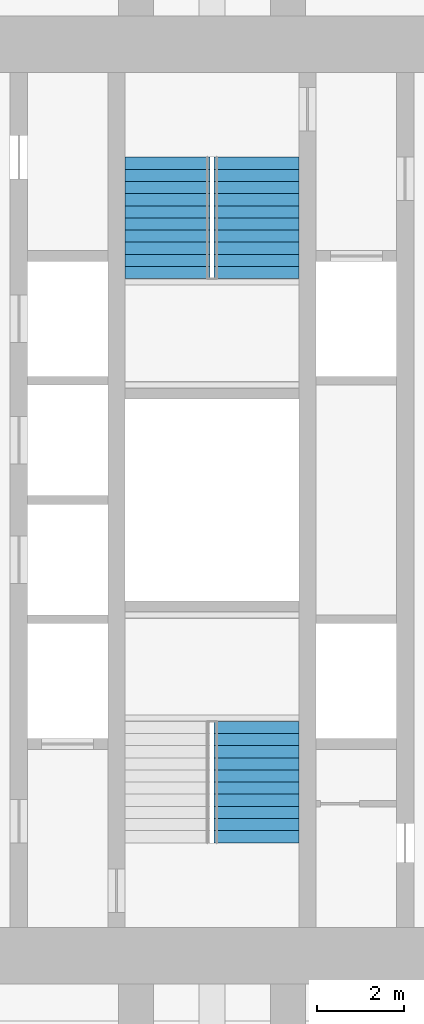
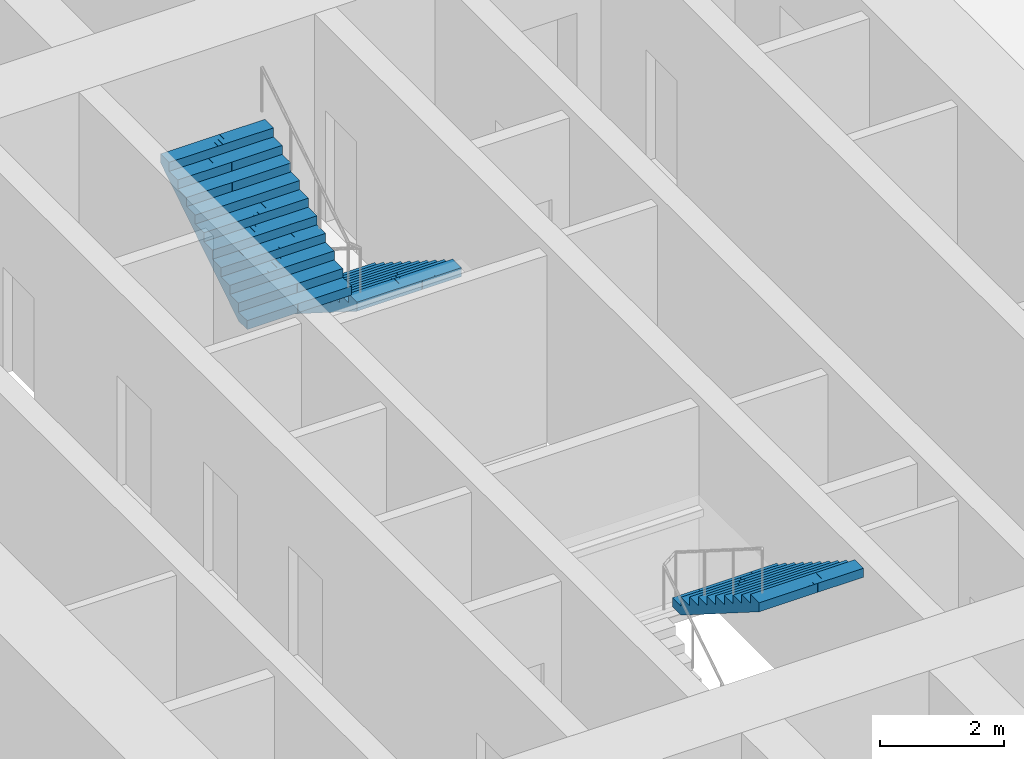
# One storey, part 18 of 19: 3 stair flights, 2 elements without a shape of their own.
"""IFC4 building model written with IfcOpenShell, lengths in metres."""

import ifcopenshell
import ifcopenshell.guid

model = None  # the IFC model being written
_history = None  # IfcOwnerHistory: only IFC2X3 demands one
_inside = {}  # id of a spatial element -> (the spatial element, [elements in it])
_under = {}  # id of a project, library or spatial element -> (it, [spatial elements below it])
_declared = {}  # id of a project -> (the project, [libraries it declares])
_typed = {}  # id of a type object -> (the type object, [elements of that type])
_made_of = {}  # id of a material, layer set ... -> (it, [elements and type objects made of it])


def new_model(schema):
    """Start an empty IFC model of exactly this schema.

    Asked for "IFC4X3", IfcOpenShell would pick the latest addendum, in which some entities
    have other attributes; the version numbers below select the first issue.
    IFC2X3 requires an IfcOwnerHistory on every rooted entity: one is made here for all.
    """
    global model, _history
    if schema == "IFC4X3":
        model = ifcopenshell.file(schema_version=(4, 3, 0, 0))
    else:
        model = ifcopenshell.file(schema=schema)
    _inside.clear()
    _under.clear()
    _declared.clear()
    _typed.clear()
    _made_of.clear()
    _history = None
    if model.schema == "IFC2X3":
        org = make("IfcOrganization", Name="unknown")
        user = make(
            "IfcPersonAndOrganization",
            ThePerson=make("IfcPerson", FamilyName="unknown"),
            TheOrganization=org,
        )
        app = make(
            "IfcApplication",
            ApplicationDeveloper=org,
            Version="unknown",
            ApplicationFullName="unknown",
            ApplicationIdentifier="unknown",
        )
        _history = make(
            "IfcOwnerHistory",
            OwningUser=user,
            OwningApplication=app,
            ChangeAction="ADDED",
            CreationDate=0,
        )
    return model


def make(cls, **values):
    """One entity of the class cls with the attributes given. An attribute that is None is left unset."""
    return model.create_entity(
        cls, **{name: value for name, value in values.items() if value is not None}
    )


def rooted(cls, **values):
    """An entity with a GlobalId (a new one), such as an element, a storey or a relation."""
    return make(cls, GlobalId=ifcopenshell.guid.new(), OwnerHistory=_history, **values)


def si_unit(unit_type, name, prefix=None):
    """IfcSIUnit, for example si_unit("LENGTHUNIT", "METRE", prefix="MILLI")."""
    return make("IfcSIUnit", UnitType=unit_type, Prefix=prefix, Name=name)


def assignment(units):
    """IfcUnitAssignment: the units of a project."""
    return None if units is None else make("IfcUnitAssignment", Units=units)


def point(xyz):
    """IfcCartesianPoint."""
    return None if xyz is None else make("IfcCartesianPoint", Coordinates=xyz)


def direction(xyz):
    """IfcDirection."""
    return None if xyz is None else make("IfcDirection", DirectionRatios=xyz)


def frame(location, z_axis=None, x_axis=None):
    """IfcAxis2Placement3D, a coordinate frame: its origin and axes. An axis left out is left unset."""
    return make(
        "IfcAxis2Placement3D",
        Location=point(location),
        Axis=direction(z_axis),
        RefDirection=direction(x_axis),
    )


def origin():
    """The frame at (0, 0, 0) with its axes left unset."""
    return frame((0.0, 0.0, 0.0))


def place(relative_to, where):
    """IfcLocalPlacement: puts the frame where relative to a parent placement (None: the world)."""
    return make(
        "IfcLocalPlacement", PlacementRelTo=relative_to, RelativePlacement=where
    )


def context(
    kind, dimensions, precision=None, world=None, true_north=None, identifier=None
):
    """IfcGeometricRepresentationContext, for example the 3D "Model" context."""
    return make(
        "IfcGeometricRepresentationContext",
        ContextIdentifier=identifier,
        ContextType=kind,
        CoordinateSpaceDimension=dimensions,
        Precision=precision,
        WorldCoordinateSystem=world,
        TrueNorth=true_north,
    )


def subcontext(parent, identifier, kind, view, scale=None):
    """IfcGeometricRepresentationSubContext, for example "Body" below "Model"."""
    return make(
        "IfcGeometricRepresentationSubContext",
        ContextIdentifier=identifier,
        ContextType=kind,
        ParentContext=parent,
        TargetScale=scale,
        TargetView=view,
    )


def project(units=None, contexts=None):
    """IfcProject with its units and contexts."""
    return rooted(
        "IfcProject",
        Name="project",
        RepresentationContexts=contexts,
        UnitsInContext=assignment(units),
    )


def spatial(cls, under=None, at=None, **own):
    """A site, building, storey or space (cls), placed at a placement, below another one or the project."""
    s = rooted(cls, ObjectPlacement=at, **own)
    if under is not None:
        _under.setdefault(under.id(), (under, []))[1].append(s)
    return s


def polyline(points):
    """IfcPolyline through the points."""
    return make("IfcPolyline", Points=[point(p) for p in points])


def outline(outer, holes=None, kind="AREA"):
    """IfcArbitraryClosedProfileDef: a profile drawn as a closed curve; with holes, ...WithVoids."""
    if holes is None:
        return make("IfcArbitraryClosedProfileDef", ProfileType=kind, OuterCurve=outer)
    return make(
        "IfcArbitraryProfileDefWithVoids",
        ProfileType=kind,
        OuterCurve=outer,
        InnerCurves=holes,
    )


def extrude(swept, where, along, depth):
    """IfcExtrudedAreaSolid: the profile swept, set in the frame where, extruded along a direction by depth."""
    return make(
        "IfcExtrudedAreaSolid",
        SweptArea=swept,
        Position=where,
        ExtrudedDirection=direction(along),
        Depth=depth,
    )


def shape(context_of_items, identifier, shape_type, items):
    """IfcShapeRepresentation: the items that make up one representation, for example the "Body"."""
    return make(
        "IfcShapeRepresentation",
        ContextOfItems=context_of_items,
        RepresentationIdentifier=identifier,
        RepresentationType=shape_type,
        Items=items,
    )


def material(Name=None, Category=None):
    """IfcMaterial."""
    return make("IfcMaterial", Name=Name, Category=Category)


def made_of(thing, what):
    """Note that an element or type object is made of a material, layer set ...; save() writes the relation."""
    if what is not None:
        _made_of.setdefault(what.id(), (what, []))[1].append(thing)
    return thing


def type_object(cls, material=None, **own):
    """A type object (cls), such as IfcWallType, which elements share."""
    return made_of(rooted(cls, **own), material)


def element(
    cls,
    number,
    at=None,
    inside=None,
    cuts=None,
    type_object=None,
    material=None,
    context=None,
    identifier="Body",
    shape_type=None,
    held_by="IfcProductDefinitionShape",
    body=None,
    shapes=None,
    **own,
):
    """One element of the class cls, such as IfcWall. Its Tag is "e" and its number.

    at: its placement. inside: the storey or other place that contains it. cuts: it is an
    opening in that element (IfcRelVoidsElement). A single representation is given by context,
    identifier, shape_type and body (its items); several are given by shapes. held_by: the class
    of the entity that holds the representations. save() writes the other relations.
    """
    e = rooted(cls, Tag="e%d" % number, ObjectPlacement=at, **own)
    if body is not None:
        shapes = [shape(context, identifier, shape_type, body)]
    if shapes is not None:
        e.Representation = make(held_by, Representations=shapes)
    if inside is not None:
        _inside.setdefault(inside.id(), (inside, []))[1].append(e)
    if cuts is not None:
        rooted(
            "IfcRelVoidsElement", RelatingBuildingElement=cuts, RelatedOpeningElement=e
        )
    if type_object is not None:
        _typed.setdefault(type_object.id(), (type_object, []))[1].append(e)
    return made_of(e, material)


def aggregate(whole, parts):
    """IfcRelAggregates: a whole, such as a stair, and the parts it consists of."""
    return rooted("IfcRelAggregates", RelatingObject=whole, RelatedObjects=parts)


def save(model, path):
    """Write the relations noted so far, then the file.

    IfcRelAggregates (storeys below a building ...), IfcRelContainedInSpatialStructure (elements
    in a storey), IfcRelDefinesByType, IfcRelAssociatesMaterial and IfcRelDeclares: one each for
    every whole, place, type object, material and project.
    """
    for whole, parts in _under.values():
        aggregate(whole, parts)
    for where, things in _inside.values():
        rooted(
            "IfcRelContainedInSpatialStructure",
            RelatedElements=things,
            RelatingStructure=where,
        )
    for kind, things in _typed.values():
        rooted("IfcRelDefinesByType", RelatedObjects=things, RelatingType=kind)
    for what, things in _made_of.values():
        rooted("IfcRelAssociatesMaterial", RelatedObjects=things, RelatingMaterial=what)
    for by, libraries in _declared.values():
        rooted("IfcRelDeclares", RelatingContext=by, RelatedDefinitions=libraries)
    model.write(path)


model = new_model("IFC4")

# Units and contexts
model_context = context("Model", 3, precision=1e-05, world=origin(), true_north=direction((0.0, 1.0)))
body_context = subcontext(model_context, "Body", "Model", "MODEL_VIEW")
ifc_project = project(units=[si_unit("LENGTHUNIT", "METRE"), si_unit("AREAUNIT", "SQUARE_METRE"), si_unit("VOLUMEUNIT", "CUBIC_METRE"), si_unit("PLANEANGLEUNIT", "RADIAN"), si_unit("MASSUNIT", "GRAM", prefix="KILO")], contexts=[model_context])

# Site, building, storey
site_placement = place(None, origin())
site = spatial("IfcSite", under=ifc_project, at=site_placement, CompositionType="ELEMENT")
building_placement = place(site_placement, origin())
building = spatial("IfcBuilding", under=site, at=building_placement, Name="Mizan Broadcast Tower", CompositionType="ELEMENT")
storey_placement = place(building_placement, frame((0.0, 0.0, 132.0)))
storey = spatial("IfcBuildingStorey", under=building, at=storey_placement, Name="L29", CompositionType="ELEMENT", Elevation=132.0)

# Stair, stair flight
ifc_material_1 = material(Name="Concrete C40/50", Category="concrete")
stair_type = type_object("IfcStairType", Name="EXIT STAIR", PredefinedType="HALF_TURN_STAIR", material=ifc_material_1)
stair_1_placement = place(storey_placement, origin())
stair_1 = element("IfcStair", 1, at=stair_1_placement, inside=storey, type_object=stair_type, Name="Stair A L29", PredefinedType="HALF_TURN_STAIR")
ifc_material_2 = material(Name="Concrete C40/50", Category="concrete")
stair_flight_type = type_object("IfcStairFlightType", Name="EXIT STAIR FLIGHT", PredefinedType="STRAIGHT", material=ifc_material_2)
stair_flight_1_placement = place(storey_placement, frame((1.02490234375, -5.10009765625, 1.949951171875), z_axis=(0.0, 0.0, 1.0), x_axis=(0.0, -1.0, 0.0)))
stair_flight_1 = element("IfcStairFlight", 2, at=stair_flight_1_placement, type_object=stair_flight_type, Name="A flight 2", NumberOfRisers=11, NumberOfTreads=10, PredefinedType="STRAIGHT", RiserHeight=0.177272727, TreadLength=0.28, context=body_context, shape_type="SweptSolid", body=[
    extrude(outline(polyline([(0.0, 0.0), (0.0, 0.17724609375), (0.280029296875, 0.17724609375), (0.280029296875, 0.3544921875), (0.56005859375, 0.3544921875), (0.56005859375, 0.53173828125), (0.840087890625, 0.53173828125), (0.840087890625, 0.708984375), (1.1201171875, 0.708984375), (1.1201171875, 0.886474609375), (1.39990234375, 0.886474609375), (1.39990234375, 1.063720703125), (1.679931640625, 1.063720703125), (1.679931640625, 1.240966796875), (1.9599609375, 1.240966796875), (1.9599609375, 1.418212890625), (2.239990234375, 1.418212890625), (2.239990234375, 1.595458984375), (2.52001953125, 1.595458984375), (2.52001953125, 1.772705078125), (2.800048828125, 1.772705078125), (2.800048828125, 1.949951171875), (2.800048828125, 1.59521484375), (0.2802734375, 0.0), (0.0, 0.0)])), frame((0.0, 0.97509765625, 0.0), z_axis=(0.0, -1.0, 0.0), x_axis=(1.0, 0.0, 0.0)), (0.0, 0.0, 1.0), 0.4873046875),
    extrude(outline(polyline([(0.0, 0.0), (0.0, 0.17724609375), (0.280029296875, 0.17724609375), (0.280029296875, 0.3544921875), (0.56005859375, 0.3544921875), (0.56005859375, 0.53173828125), (0.840087890625, 0.53173828125), (0.840087890625, 0.708984375), (1.1201171875, 0.708984375), (1.1201171875, 0.886474609375), (1.39990234375, 0.886474609375), (1.39990234375, 1.063720703125), (1.679931640625, 1.063720703125), (1.679931640625, 1.240966796875), (1.9599609375, 1.240966796875), (1.9599609375, 1.418212890625), (2.239990234375, 1.418212890625), (2.239990234375, 1.595458984375), (2.52001953125, 1.595458984375), (2.52001953125, 1.772705078125), (2.800048828125, 1.772705078125), (2.800048828125, 1.949951171875), (2.800048828125, 1.59521484375), (0.2802734375, 0.0), (0.0, 0.0)])), frame((0.0, 0.4873046875, 0.0), z_axis=(0.0, -1.0, 0.0), x_axis=(1.0, 0.0, 0.0)), (0.0, 0.0, 1.0), 0.2431640625),
    extrude(outline(polyline([(0.0, 0.0), (0.0, 0.17724609375), (0.280029296875, 0.17724609375), (0.280029296875, 0.3544921875), (0.56005859375, 0.3544921875), (0.56005859375, 0.53173828125), (0.840087890625, 0.53173828125), (0.840087890625, 0.708984375), (1.1201171875, 0.708984375), (1.1201171875, 0.886474609375), (1.39990234375, 0.886474609375), (1.39990234375, 1.063720703125), (1.679931640625, 1.063720703125), (1.679931640625, 1.240966796875), (1.9599609375, 1.240966796875), (1.9599609375, 1.418212890625), (2.239990234375, 1.418212890625), (2.239990234375, 1.595458984375), (2.52001953125, 1.595458984375), (2.52001953125, 1.772705078125), (2.800048828125, 1.772705078125), (2.800048828125, 1.949951171875), (2.800048828125, 1.59521484375), (0.2802734375, 0.0), (0.0, 0.0)])), frame((0.0, 0.24365234375, 0.0), z_axis=(0.0, -1.0, 0.0), x_axis=(1.0, 0.0, 0.0)), (0.0, 0.0, 1.0), 0.121337890625),
    extrude(outline(polyline([(0.0, 0.0), (0.0, 0.17724609375), (0.280029296875, 0.17724609375), (0.280029296875, 0.3544921875), (0.56005859375, 0.3544921875), (0.56005859375, 0.53173828125), (0.840087890625, 0.53173828125), (0.840087890625, 0.708984375), (1.1201171875, 0.708984375), (1.1201171875, 0.886474609375), (1.39990234375, 0.886474609375), (1.39990234375, 1.063720703125), (1.679931640625, 1.063720703125), (1.679931640625, 1.240966796875), (1.9599609375, 1.240966796875), (1.9599609375, 1.418212890625), (2.239990234375, 1.418212890625), (2.239990234375, 1.595458984375), (2.52001953125, 1.595458984375), (2.52001953125, 1.772705078125), (2.800048828125, 1.772705078125), (2.800048828125, 1.949951171875), (2.800048828125, 1.59521484375), (0.2802734375, 0.0), (0.0, 0.0)])), frame((0.0, 0.121826171875, 0.0), z_axis=(0.0, -1.0, 0.0), x_axis=(1.0, 0.0, 0.0)), (0.0, 0.0, 1.0), 0.060546875),
    extrude(outline(polyline([(0.0, 0.0), (0.0, 0.17724609375), (0.280029296875, 0.17724609375), (0.280029296875, 0.3544921875), (0.56005859375, 0.3544921875), (0.56005859375, 0.53173828125), (0.840087890625, 0.53173828125), (0.840087890625, 0.708984375), (1.1201171875, 0.708984375), (1.1201171875, 0.886474609375), (1.39990234375, 0.886474609375), (1.39990234375, 1.063720703125), (1.679931640625, 1.063720703125), (1.679931640625, 1.240966796875), (1.9599609375, 1.240966796875), (1.9599609375, 1.418212890625), (2.239990234375, 1.418212890625), (2.239990234375, 1.595458984375), (2.52001953125, 1.595458984375), (2.52001953125, 1.772705078125), (2.800048828125, 1.772705078125), (2.800048828125, 1.949951171875), (2.800048828125, 1.59521484375), (0.2802734375, 0.0), (0.0, 0.0)])), frame((0.0, 0.060791015625, 0.0), z_axis=(0.0, -1.0, 0.0), x_axis=(1.0, 0.0, 0.0)), (0.0, 0.0, 1.0), 0.030029296875),
    extrude(outline(polyline([(0.0, 0.0), (0.0, 0.17724609375), (0.280029296875, 0.17724609375), (0.280029296875, 0.3544921875), (0.56005859375, 0.3544921875), (0.56005859375, 0.53173828125), (0.840087890625, 0.53173828125), (0.840087890625, 0.708984375), (1.1201171875, 0.708984375), (1.1201171875, 0.886474609375), (1.39990234375, 0.886474609375), (1.39990234375, 1.063720703125), (1.679931640625, 1.063720703125), (1.679931640625, 1.240966796875), (1.9599609375, 1.240966796875), (1.9599609375, 1.418212890625), (2.239990234375, 1.418212890625), (2.239990234375, 1.595458984375), (2.52001953125, 1.595458984375), (2.52001953125, 1.772705078125), (2.800048828125, 1.772705078125), (2.800048828125, 1.949951171875), (2.800048828125, 1.59521484375), (0.2802734375, 0.0), (0.0, 0.0)])), frame((0.0, 0.0302734375, 0.0), z_axis=(0.0, -1.0, 0.0), x_axis=(1.0, 0.0, 0.0)), (0.0, 0.0, 1.0), 0.060302734375),
    extrude(outline(polyline([(0.0, 0.0), (0.0, 0.17724609375), (0.280029296875, 0.17724609375), (0.280029296875, 0.3544921875), (0.56005859375, 0.3544921875), (0.56005859375, 0.53173828125), (0.840087890625, 0.53173828125), (0.840087890625, 0.708984375), (1.1201171875, 0.708984375), (1.1201171875, 0.886474609375), (1.39990234375, 0.886474609375), (1.39990234375, 1.063720703125), (1.679931640625, 1.063720703125), (1.679931640625, 1.240966796875), (1.9599609375, 1.240966796875), (1.9599609375, 1.418212890625), (2.239990234375, 1.418212890625), (2.239990234375, 1.595458984375), (2.52001953125, 1.595458984375), (2.52001953125, 1.772705078125), (2.800048828125, 1.772705078125), (2.800048828125, 1.949951171875), (2.800048828125, 1.59521484375), (0.2802734375, 0.0), (0.0, 0.0)])), frame((0.0, -0.030517578125, 0.0), z_axis=(0.0, -1.0, 0.0), x_axis=(1.0, 0.0, 0.0)), (0.0, 0.0, 1.0), 0.030029296875),
    extrude(outline(polyline([(0.0, 0.0), (0.0, 0.17724609375), (0.280029296875, 0.17724609375), (0.280029296875, 0.3544921875), (0.56005859375, 0.3544921875), (0.56005859375, 0.53173828125), (0.840087890625, 0.53173828125), (0.840087890625, 0.708984375), (1.1201171875, 0.708984375), (1.1201171875, 0.886474609375), (1.39990234375, 0.886474609375), (1.39990234375, 1.063720703125), (1.679931640625, 1.063720703125), (1.679931640625, 1.240966796875), (1.9599609375, 1.240966796875), (1.9599609375, 1.418212890625), (2.239990234375, 1.418212890625), (2.239990234375, 1.595458984375), (2.52001953125, 1.595458984375), (2.52001953125, 1.772705078125), (2.800048828125, 1.772705078125), (2.800048828125, 1.949951171875), (2.800048828125, 1.59521484375), (0.2802734375, 0.0), (0.0, 0.0)])), frame((0.0, -0.06103515625, 0.0), z_axis=(0.0, -1.0, 0.0), x_axis=(1.0, 0.0, 0.0)), (0.0, 0.0, 1.0), 0.060546875),
    extrude(outline(polyline([(0.0, 0.0), (0.0, 0.17724609375), (0.280029296875, 0.17724609375), (0.280029296875, 0.3544921875), (0.56005859375, 0.3544921875), (0.56005859375, 0.53173828125), (0.840087890625, 0.53173828125), (0.840087890625, 0.708984375), (1.1201171875, 0.708984375), (1.1201171875, 0.886474609375), (1.39990234375, 0.886474609375), (1.39990234375, 1.063720703125), (1.679931640625, 1.063720703125), (1.679931640625, 1.240966796875), (1.9599609375, 1.240966796875), (1.9599609375, 1.418212890625), (2.239990234375, 1.418212890625), (2.239990234375, 1.595458984375), (2.52001953125, 1.595458984375), (2.52001953125, 1.772705078125), (2.800048828125, 1.772705078125), (2.800048828125, 1.949951171875), (2.800048828125, 1.59521484375), (0.2802734375, 0.0), (0.0, 0.0)])), frame((0.0, -0.1220703125, 0.0), z_axis=(0.0, -1.0, 0.0), x_axis=(1.0, 0.0, 0.0)), (0.0, 0.0, 1.0), 0.121337890625),
    extrude(outline(polyline([(0.0, 0.0), (0.0, 0.17724609375), (0.280029296875, 0.17724609375), (0.280029296875, 0.3544921875), (0.56005859375, 0.3544921875), (0.56005859375, 0.53173828125), (0.840087890625, 0.53173828125), (0.840087890625, 0.708984375), (1.1201171875, 0.708984375), (1.1201171875, 0.886474609375), (1.39990234375, 0.886474609375), (1.39990234375, 1.063720703125), (1.679931640625, 1.063720703125), (1.679931640625, 1.240966796875), (1.9599609375, 1.240966796875), (1.9599609375, 1.418212890625), (2.239990234375, 1.418212890625), (2.239990234375, 1.595458984375), (2.52001953125, 1.595458984375), (2.52001953125, 1.772705078125), (2.800048828125, 1.772705078125), (2.800048828125, 1.949951171875), (2.800048828125, 1.59521484375), (0.2802734375, 0.0), (0.0, 0.0)])), frame((0.0, -0.243896484375, 0.0), z_axis=(0.0, -1.0, 0.0), x_axis=(1.0, 0.0, 0.0)), (0.0, 0.0, 1.0), 0.2431640625),
    extrude(outline(polyline([(0.0, 0.0), (0.0, 0.17724609375), (0.280029296875, 0.17724609375), (0.280029296875, 0.3544921875), (0.56005859375, 0.3544921875), (0.56005859375, 0.53173828125), (0.840087890625, 0.53173828125), (0.840087890625, 0.708984375), (1.1201171875, 0.708984375), (1.1201171875, 0.886474609375), (1.39990234375, 0.886474609375), (1.39990234375, 1.063720703125), (1.679931640625, 1.063720703125), (1.679931640625, 1.240966796875), (1.9599609375, 1.240966796875), (1.9599609375, 1.418212890625), (2.239990234375, 1.418212890625), (2.239990234375, 1.595458984375), (2.52001953125, 1.595458984375), (2.52001953125, 1.772705078125), (2.800048828125, 1.772705078125), (2.800048828125, 1.949951171875), (2.800048828125, 1.59521484375), (0.2802734375, 0.0), (0.0, 0.0)])), frame((0.0, -0.487548828125, 0.0), z_axis=(0.0, -1.0, 0.0), x_axis=(1.0, 0.0, 0.0)), (0.0, 0.0, 1.0), 0.4873046875),
])
aggregate(stair_1, [stair_flight_1])

# Stair, stair flights
stair_2_placement = place(storey_placement, origin())
stair_2 = element("IfcStair", 3, at=stair_2_placement, inside=storey, type_object=stair_type, Name="Stair B L29", PredefinedType="HALF_TURN_STAIR")
stair_flight_2_placement = place(storey_placement, frame((1.02490234375, 7.89990234375, 0.0), z_axis=(0.0, 0.0, 1.0), x_axis=(0.0, -1.0, 0.0)))
stair_flight_2 = element("IfcStairFlight", 4, at=stair_flight_2_placement, type_object=stair_flight_type, Name="B flight 1", NumberOfRisers=11, NumberOfTreads=10, PredefinedType="STRAIGHT", RiserHeight=0.177272727, TreadLength=0.28, context=body_context, shape_type="SweptSolid", body=[
    extrude(outline(polyline([(0.0, 0.0), (0.0, 0.17724609375), (0.280029296875, 0.17724609375), (0.280029296875, 0.3544921875), (0.56005859375, 0.3544921875), (0.56005859375, 0.53173828125), (0.840087890625, 0.53173828125), (0.840087890625, 0.708984375), (1.1201171875, 0.708984375), (1.1201171875, 0.886474609375), (1.39990234375, 0.886474609375), (1.39990234375, 1.063720703125), (1.679931640625, 1.063720703125), (1.679931640625, 1.240966796875), (1.9599609375, 1.240966796875), (1.9599609375, 1.418212890625), (2.239990234375, 1.418212890625), (2.239990234375, 1.595458984375), (2.52001953125, 1.595458984375), (2.52001953125, 1.772705078125), (2.800048828125, 1.772705078125), (2.800048828125, 1.949951171875), (2.800048828125, 1.59521484375), (0.2802734375, 0.0), (0.0, 0.0)])), frame((0.0, 0.97509765625, 0.0), z_axis=(0.0, -1.0, 0.0), x_axis=(1.0, 0.0, 0.0)), (0.0, 0.0, 1.0), 0.4873046875),
    extrude(outline(polyline([(0.0, 0.0), (0.0, 0.17724609375), (0.280029296875, 0.17724609375), (0.280029296875, 0.3544921875), (0.56005859375, 0.3544921875), (0.56005859375, 0.53173828125), (0.840087890625, 0.53173828125), (0.840087890625, 0.708984375), (1.1201171875, 0.708984375), (1.1201171875, 0.886474609375), (1.39990234375, 0.886474609375), (1.39990234375, 1.063720703125), (1.679931640625, 1.063720703125), (1.679931640625, 1.240966796875), (1.9599609375, 1.240966796875), (1.9599609375, 1.418212890625), (2.239990234375, 1.418212890625), (2.239990234375, 1.595458984375), (2.52001953125, 1.595458984375), (2.52001953125, 1.772705078125), (2.800048828125, 1.772705078125), (2.800048828125, 1.949951171875), (2.800048828125, 1.59521484375), (0.2802734375, 0.0), (0.0, 0.0)])), frame((0.0, 0.4873046875, 0.0), z_axis=(0.0, -1.0, 0.0), x_axis=(1.0, 0.0, 0.0)), (0.0, 0.0, 1.0), 0.2431640625),
    extrude(outline(polyline([(0.0, 0.0), (0.0, 0.17724609375), (0.280029296875, 0.17724609375), (0.280029296875, 0.3544921875), (0.56005859375, 0.3544921875), (0.56005859375, 0.53173828125), (0.840087890625, 0.53173828125), (0.840087890625, 0.708984375), (1.1201171875, 0.708984375), (1.1201171875, 0.886474609375), (1.39990234375, 0.886474609375), (1.39990234375, 1.063720703125), (1.679931640625, 1.063720703125), (1.679931640625, 1.240966796875), (1.9599609375, 1.240966796875), (1.9599609375, 1.418212890625), (2.239990234375, 1.418212890625), (2.239990234375, 1.595458984375), (2.52001953125, 1.595458984375), (2.52001953125, 1.772705078125), (2.800048828125, 1.772705078125), (2.800048828125, 1.949951171875), (2.800048828125, 1.59521484375), (0.2802734375, 0.0), (0.0, 0.0)])), frame((0.0, 0.24365234375, 0.0), z_axis=(0.0, -1.0, 0.0), x_axis=(1.0, 0.0, 0.0)), (0.0, 0.0, 1.0), 0.121337890625),
    extrude(outline(polyline([(0.0, 0.0), (0.0, 0.17724609375), (0.280029296875, 0.17724609375), (0.280029296875, 0.3544921875), (0.56005859375, 0.3544921875), (0.56005859375, 0.53173828125), (0.840087890625, 0.53173828125), (0.840087890625, 0.708984375), (1.1201171875, 0.708984375), (1.1201171875, 0.886474609375), (1.39990234375, 0.886474609375), (1.39990234375, 1.063720703125), (1.679931640625, 1.063720703125), (1.679931640625, 1.240966796875), (1.9599609375, 1.240966796875), (1.9599609375, 1.418212890625), (2.239990234375, 1.418212890625), (2.239990234375, 1.595458984375), (2.52001953125, 1.595458984375), (2.52001953125, 1.772705078125), (2.800048828125, 1.772705078125), (2.800048828125, 1.949951171875), (2.800048828125, 1.59521484375), (0.2802734375, 0.0), (0.0, 0.0)])), frame((0.0, 0.121826171875, 0.0), z_axis=(0.0, -1.0, 0.0), x_axis=(1.0, 0.0, 0.0)), (0.0, 0.0, 1.0), 0.060546875),
    extrude(outline(polyline([(0.0, 0.0), (0.0, 0.17724609375), (0.280029296875, 0.17724609375), (0.280029296875, 0.3544921875), (0.56005859375, 0.3544921875), (0.56005859375, 0.53173828125), (0.840087890625, 0.53173828125), (0.840087890625, 0.708984375), (1.1201171875, 0.708984375), (1.1201171875, 0.886474609375), (1.39990234375, 0.886474609375), (1.39990234375, 1.063720703125), (1.679931640625, 1.063720703125), (1.679931640625, 1.240966796875), (1.9599609375, 1.240966796875), (1.9599609375, 1.418212890625), (2.239990234375, 1.418212890625), (2.239990234375, 1.595458984375), (2.52001953125, 1.595458984375), (2.52001953125, 1.772705078125), (2.800048828125, 1.772705078125), (2.800048828125, 1.949951171875), (2.800048828125, 1.59521484375), (0.2802734375, 0.0), (0.0, 0.0)])), frame((0.0, 0.060791015625, 0.0), z_axis=(0.0, -1.0, 0.0), x_axis=(1.0, 0.0, 0.0)), (0.0, 0.0, 1.0), 0.030029296875),
    extrude(outline(polyline([(0.0, 0.0), (0.0, 0.17724609375), (0.280029296875, 0.17724609375), (0.280029296875, 0.3544921875), (0.56005859375, 0.3544921875), (0.56005859375, 0.53173828125), (0.840087890625, 0.53173828125), (0.840087890625, 0.708984375), (1.1201171875, 0.708984375), (1.1201171875, 0.886474609375), (1.39990234375, 0.886474609375), (1.39990234375, 1.063720703125), (1.679931640625, 1.063720703125), (1.679931640625, 1.240966796875), (1.9599609375, 1.240966796875), (1.9599609375, 1.418212890625), (2.239990234375, 1.418212890625), (2.239990234375, 1.595458984375), (2.52001953125, 1.595458984375), (2.52001953125, 1.772705078125), (2.800048828125, 1.772705078125), (2.800048828125, 1.949951171875), (2.800048828125, 1.59521484375), (0.2802734375, 0.0), (0.0, 0.0)])), frame((0.0, 0.0302734375, 0.0), z_axis=(0.0, -1.0, 0.0), x_axis=(1.0, 0.0, 0.0)), (0.0, 0.0, 1.0), 0.060302734375),
    extrude(outline(polyline([(0.0, 0.0), (0.0, 0.17724609375), (0.280029296875, 0.17724609375), (0.280029296875, 0.3544921875), (0.56005859375, 0.3544921875), (0.56005859375, 0.53173828125), (0.840087890625, 0.53173828125), (0.840087890625, 0.708984375), (1.1201171875, 0.708984375), (1.1201171875, 0.886474609375), (1.39990234375, 0.886474609375), (1.39990234375, 1.063720703125), (1.679931640625, 1.063720703125), (1.679931640625, 1.240966796875), (1.9599609375, 1.240966796875), (1.9599609375, 1.418212890625), (2.239990234375, 1.418212890625), (2.239990234375, 1.595458984375), (2.52001953125, 1.595458984375), (2.52001953125, 1.772705078125), (2.800048828125, 1.772705078125), (2.800048828125, 1.949951171875), (2.800048828125, 1.59521484375), (0.2802734375, 0.0), (0.0, 0.0)])), frame((0.0, -0.030517578125, 0.0), z_axis=(0.0, -1.0, 0.0), x_axis=(1.0, 0.0, 0.0)), (0.0, 0.0, 1.0), 0.030029296875),
    extrude(outline(polyline([(0.0, 0.0), (0.0, 0.17724609375), (0.280029296875, 0.17724609375), (0.280029296875, 0.3544921875), (0.56005859375, 0.3544921875), (0.56005859375, 0.53173828125), (0.840087890625, 0.53173828125), (0.840087890625, 0.708984375), (1.1201171875, 0.708984375), (1.1201171875, 0.886474609375), (1.39990234375, 0.886474609375), (1.39990234375, 1.063720703125), (1.679931640625, 1.063720703125), (1.679931640625, 1.240966796875), (1.9599609375, 1.240966796875), (1.9599609375, 1.418212890625), (2.239990234375, 1.418212890625), (2.239990234375, 1.595458984375), (2.52001953125, 1.595458984375), (2.52001953125, 1.772705078125), (2.800048828125, 1.772705078125), (2.800048828125, 1.949951171875), (2.800048828125, 1.59521484375), (0.2802734375, 0.0), (0.0, 0.0)])), frame((0.0, -0.06103515625, 0.0), z_axis=(0.0, -1.0, 0.0), x_axis=(1.0, 0.0, 0.0)), (0.0, 0.0, 1.0), 0.060546875),
    extrude(outline(polyline([(0.0, 0.0), (0.0, 0.17724609375), (0.280029296875, 0.17724609375), (0.280029296875, 0.3544921875), (0.56005859375, 0.3544921875), (0.56005859375, 0.53173828125), (0.840087890625, 0.53173828125), (0.840087890625, 0.708984375), (1.1201171875, 0.708984375), (1.1201171875, 0.886474609375), (1.39990234375, 0.886474609375), (1.39990234375, 1.063720703125), (1.679931640625, 1.063720703125), (1.679931640625, 1.240966796875), (1.9599609375, 1.240966796875), (1.9599609375, 1.418212890625), (2.239990234375, 1.418212890625), (2.239990234375, 1.595458984375), (2.52001953125, 1.595458984375), (2.52001953125, 1.772705078125), (2.800048828125, 1.772705078125), (2.800048828125, 1.949951171875), (2.800048828125, 1.59521484375), (0.2802734375, 0.0), (0.0, 0.0)])), frame((0.0, -0.1220703125, 0.0), z_axis=(0.0, -1.0, 0.0), x_axis=(1.0, 0.0, 0.0)), (0.0, 0.0, 1.0), 0.121337890625),
    extrude(outline(polyline([(0.0, 0.0), (0.0, 0.17724609375), (0.280029296875, 0.17724609375), (0.280029296875, 0.3544921875), (0.56005859375, 0.3544921875), (0.56005859375, 0.53173828125), (0.840087890625, 0.53173828125), (0.840087890625, 0.708984375), (1.1201171875, 0.708984375), (1.1201171875, 0.886474609375), (1.39990234375, 0.886474609375), (1.39990234375, 1.063720703125), (1.679931640625, 1.063720703125), (1.679931640625, 1.240966796875), (1.9599609375, 1.240966796875), (1.9599609375, 1.418212890625), (2.239990234375, 1.418212890625), (2.239990234375, 1.595458984375), (2.52001953125, 1.595458984375), (2.52001953125, 1.772705078125), (2.800048828125, 1.772705078125), (2.800048828125, 1.949951171875), (2.800048828125, 1.59521484375), (0.2802734375, 0.0), (0.0, 0.0)])), frame((0.0, -0.243896484375, 0.0), z_axis=(0.0, -1.0, 0.0), x_axis=(1.0, 0.0, 0.0)), (0.0, 0.0, 1.0), 0.2431640625),
    extrude(outline(polyline([(0.0, 0.0), (0.0, 0.17724609375), (0.280029296875, 0.17724609375), (0.280029296875, 0.3544921875), (0.56005859375, 0.3544921875), (0.56005859375, 0.53173828125), (0.840087890625, 0.53173828125), (0.840087890625, 0.708984375), (1.1201171875, 0.708984375), (1.1201171875, 0.886474609375), (1.39990234375, 0.886474609375), (1.39990234375, 1.063720703125), (1.679931640625, 1.063720703125), (1.679931640625, 1.240966796875), (1.9599609375, 1.240966796875), (1.9599609375, 1.418212890625), (2.239990234375, 1.418212890625), (2.239990234375, 1.595458984375), (2.52001953125, 1.595458984375), (2.52001953125, 1.772705078125), (2.800048828125, 1.772705078125), (2.800048828125, 1.949951171875), (2.800048828125, 1.59521484375), (0.2802734375, 0.0), (0.0, 0.0)])), frame((0.0, -0.487548828125, 0.0), z_axis=(0.0, -1.0, 0.0), x_axis=(1.0, 0.0, 0.0)), (0.0, 0.0, 1.0), 0.4873046875),
])
stair_flight_3_placement = place(storey_placement, frame((-1.02490234375, 5.10009765625, 1.949951171875), z_axis=(0.0, 0.0, 1.0), x_axis=(0.0, 1.0, 0.0)))
stair_flight_3 = element("IfcStairFlight", 5, at=stair_flight_3_placement, type_object=stair_flight_type, Name="B flight 2", NumberOfRisers=11, NumberOfTreads=10, PredefinedType="STRAIGHT", RiserHeight=0.177272727, TreadLength=0.28, context=body_context, shape_type="SweptSolid", body=[
    extrude(outline(polyline([(0.0, 0.0), (0.0, 0.17724609375), (0.280029296875, 0.17724609375), (0.280029296875, 0.3544921875), (0.56005859375, 0.3544921875), (0.56005859375, 0.53173828125), (0.840087890625, 0.53173828125), (0.840087890625, 0.708984375), (1.1201171875, 0.708984375), (1.1201171875, 0.886474609375), (1.39990234375, 0.886474609375), (1.39990234375, 1.063720703125), (1.679931640625, 1.063720703125), (1.679931640625, 1.240966796875), (1.9599609375, 1.240966796875), (1.9599609375, 1.418212890625), (2.239990234375, 1.418212890625), (2.239990234375, 1.595458984375), (2.52001953125, 1.595458984375), (2.52001953125, 1.772705078125), (2.800048828125, 1.772705078125), (2.800048828125, 1.949951171875), (2.800048828125, 1.59521484375), (0.2802734375, 0.0), (0.0, 0.0)])), frame((0.0, 0.97509765625, 0.0), z_axis=(0.0, -1.0, 0.0), x_axis=(1.0, 0.0, 0.0)), (0.0, 0.0, 1.0), 0.4873046875),
    extrude(outline(polyline([(0.0, 0.0), (0.0, 0.17724609375), (0.280029296875, 0.17724609375), (0.280029296875, 0.3544921875), (0.56005859375, 0.3544921875), (0.56005859375, 0.53173828125), (0.840087890625, 0.53173828125), (0.840087890625, 0.708984375), (1.1201171875, 0.708984375), (1.1201171875, 0.886474609375), (1.39990234375, 0.886474609375), (1.39990234375, 1.063720703125), (1.679931640625, 1.063720703125), (1.679931640625, 1.240966796875), (1.9599609375, 1.240966796875), (1.9599609375, 1.418212890625), (2.239990234375, 1.418212890625), (2.239990234375, 1.595458984375), (2.52001953125, 1.595458984375), (2.52001953125, 1.772705078125), (2.800048828125, 1.772705078125), (2.800048828125, 1.949951171875), (2.800048828125, 1.59521484375), (0.2802734375, 0.0), (0.0, 0.0)])), frame((0.0, 0.4873046875, 0.0), z_axis=(0.0, -1.0, 0.0), x_axis=(1.0, 0.0, 0.0)), (0.0, 0.0, 1.0), 0.2431640625),
    extrude(outline(polyline([(0.0, 0.0), (0.0, 0.17724609375), (0.280029296875, 0.17724609375), (0.280029296875, 0.3544921875), (0.56005859375, 0.3544921875), (0.56005859375, 0.53173828125), (0.840087890625, 0.53173828125), (0.840087890625, 0.708984375), (1.1201171875, 0.708984375), (1.1201171875, 0.886474609375), (1.39990234375, 0.886474609375), (1.39990234375, 1.063720703125), (1.679931640625, 1.063720703125), (1.679931640625, 1.240966796875), (1.9599609375, 1.240966796875), (1.9599609375, 1.418212890625), (2.239990234375, 1.418212890625), (2.239990234375, 1.595458984375), (2.52001953125, 1.595458984375), (2.52001953125, 1.772705078125), (2.800048828125, 1.772705078125), (2.800048828125, 1.949951171875), (2.800048828125, 1.59521484375), (0.2802734375, 0.0), (0.0, 0.0)])), frame((0.0, 0.24365234375, 0.0), z_axis=(0.0, -1.0, 0.0), x_axis=(1.0, 0.0, 0.0)), (0.0, 0.0, 1.0), 0.121337890625),
    extrude(outline(polyline([(0.0, 0.0), (0.0, 0.17724609375), (0.280029296875, 0.17724609375), (0.280029296875, 0.3544921875), (0.56005859375, 0.3544921875), (0.56005859375, 0.53173828125), (0.840087890625, 0.53173828125), (0.840087890625, 0.708984375), (1.1201171875, 0.708984375), (1.1201171875, 0.886474609375), (1.39990234375, 0.886474609375), (1.39990234375, 1.063720703125), (1.679931640625, 1.063720703125), (1.679931640625, 1.240966796875), (1.9599609375, 1.240966796875), (1.9599609375, 1.418212890625), (2.239990234375, 1.418212890625), (2.239990234375, 1.595458984375), (2.52001953125, 1.595458984375), (2.52001953125, 1.772705078125), (2.800048828125, 1.772705078125), (2.800048828125, 1.949951171875), (2.800048828125, 1.59521484375), (0.2802734375, 0.0), (0.0, 0.0)])), frame((0.0, 0.121826171875, 0.0), z_axis=(0.0, -1.0, 0.0), x_axis=(1.0, 0.0, 0.0)), (0.0, 0.0, 1.0), 0.060546875),
    extrude(outline(polyline([(0.0, 0.0), (0.0, 0.17724609375), (0.280029296875, 0.17724609375), (0.280029296875, 0.3544921875), (0.56005859375, 0.3544921875), (0.56005859375, 0.53173828125), (0.840087890625, 0.53173828125), (0.840087890625, 0.708984375), (1.1201171875, 0.708984375), (1.1201171875, 0.886474609375), (1.39990234375, 0.886474609375), (1.39990234375, 1.063720703125), (1.679931640625, 1.063720703125), (1.679931640625, 1.240966796875), (1.9599609375, 1.240966796875), (1.9599609375, 1.418212890625), (2.239990234375, 1.418212890625), (2.239990234375, 1.595458984375), (2.52001953125, 1.595458984375), (2.52001953125, 1.772705078125), (2.800048828125, 1.772705078125), (2.800048828125, 1.949951171875), (2.800048828125, 1.59521484375), (0.2802734375, 0.0), (0.0, 0.0)])), frame((0.0, 0.060791015625, 0.0), z_axis=(0.0, -1.0, 0.0), x_axis=(1.0, 0.0, 0.0)), (0.0, 0.0, 1.0), 0.030029296875),
    extrude(outline(polyline([(0.0, 0.0), (0.0, 0.17724609375), (0.280029296875, 0.17724609375), (0.280029296875, 0.3544921875), (0.56005859375, 0.3544921875), (0.56005859375, 0.53173828125), (0.840087890625, 0.53173828125), (0.840087890625, 0.708984375), (1.1201171875, 0.708984375), (1.1201171875, 0.886474609375), (1.39990234375, 0.886474609375), (1.39990234375, 1.063720703125), (1.679931640625, 1.063720703125), (1.679931640625, 1.240966796875), (1.9599609375, 1.240966796875), (1.9599609375, 1.418212890625), (2.239990234375, 1.418212890625), (2.239990234375, 1.595458984375), (2.52001953125, 1.595458984375), (2.52001953125, 1.772705078125), (2.800048828125, 1.772705078125), (2.800048828125, 1.949951171875), (2.800048828125, 1.59521484375), (0.2802734375, 0.0), (0.0, 0.0)])), frame((0.0, 0.0302734375, 0.0), z_axis=(0.0, -1.0, 0.0), x_axis=(1.0, 0.0, 0.0)), (0.0, 0.0, 1.0), 0.060302734375),
    extrude(outline(polyline([(0.0, 0.0), (0.0, 0.17724609375), (0.280029296875, 0.17724609375), (0.280029296875, 0.3544921875), (0.56005859375, 0.3544921875), (0.56005859375, 0.53173828125), (0.840087890625, 0.53173828125), (0.840087890625, 0.708984375), (1.1201171875, 0.708984375), (1.1201171875, 0.886474609375), (1.39990234375, 0.886474609375), (1.39990234375, 1.063720703125), (1.679931640625, 1.063720703125), (1.679931640625, 1.240966796875), (1.9599609375, 1.240966796875), (1.9599609375, 1.418212890625), (2.239990234375, 1.418212890625), (2.239990234375, 1.595458984375), (2.52001953125, 1.595458984375), (2.52001953125, 1.772705078125), (2.800048828125, 1.772705078125), (2.800048828125, 1.949951171875), (2.800048828125, 1.59521484375), (0.2802734375, 0.0), (0.0, 0.0)])), frame((0.0, -0.030517578125, 0.0), z_axis=(0.0, -1.0, 0.0), x_axis=(1.0, 0.0, 0.0)), (0.0, 0.0, 1.0), 0.030029296875),
    extrude(outline(polyline([(0.0, 0.0), (0.0, 0.17724609375), (0.280029296875, 0.17724609375), (0.280029296875, 0.3544921875), (0.56005859375, 0.3544921875), (0.56005859375, 0.53173828125), (0.840087890625, 0.53173828125), (0.840087890625, 0.708984375), (1.1201171875, 0.708984375), (1.1201171875, 0.886474609375), (1.39990234375, 0.886474609375), (1.39990234375, 1.063720703125), (1.679931640625, 1.063720703125), (1.679931640625, 1.240966796875), (1.9599609375, 1.240966796875), (1.9599609375, 1.418212890625), (2.239990234375, 1.418212890625), (2.239990234375, 1.595458984375), (2.52001953125, 1.595458984375), (2.52001953125, 1.772705078125), (2.800048828125, 1.772705078125), (2.800048828125, 1.949951171875), (2.800048828125, 1.59521484375), (0.2802734375, 0.0), (0.0, 0.0)])), frame((0.0, -0.06103515625, 0.0), z_axis=(0.0, -1.0, 0.0), x_axis=(1.0, 0.0, 0.0)), (0.0, 0.0, 1.0), 0.060546875),
    extrude(outline(polyline([(0.0, 0.0), (0.0, 0.17724609375), (0.280029296875, 0.17724609375), (0.280029296875, 0.3544921875), (0.56005859375, 0.3544921875), (0.56005859375, 0.53173828125), (0.840087890625, 0.53173828125), (0.840087890625, 0.708984375), (1.1201171875, 0.708984375), (1.1201171875, 0.886474609375), (1.39990234375, 0.886474609375), (1.39990234375, 1.063720703125), (1.679931640625, 1.063720703125), (1.679931640625, 1.240966796875), (1.9599609375, 1.240966796875), (1.9599609375, 1.418212890625), (2.239990234375, 1.418212890625), (2.239990234375, 1.595458984375), (2.52001953125, 1.595458984375), (2.52001953125, 1.772705078125), (2.800048828125, 1.772705078125), (2.800048828125, 1.949951171875), (2.800048828125, 1.59521484375), (0.2802734375, 0.0), (0.0, 0.0)])), frame((0.0, -0.1220703125, 0.0), z_axis=(0.0, -1.0, 0.0), x_axis=(1.0, 0.0, 0.0)), (0.0, 0.0, 1.0), 0.121337890625),
    extrude(outline(polyline([(0.0, 0.0), (0.0, 0.17724609375), (0.280029296875, 0.17724609375), (0.280029296875, 0.3544921875), (0.56005859375, 0.3544921875), (0.56005859375, 0.53173828125), (0.840087890625, 0.53173828125), (0.840087890625, 0.708984375), (1.1201171875, 0.708984375), (1.1201171875, 0.886474609375), (1.39990234375, 0.886474609375), (1.39990234375, 1.063720703125), (1.679931640625, 1.063720703125), (1.679931640625, 1.240966796875), (1.9599609375, 1.240966796875), (1.9599609375, 1.418212890625), (2.239990234375, 1.418212890625), (2.239990234375, 1.595458984375), (2.52001953125, 1.595458984375), (2.52001953125, 1.772705078125), (2.800048828125, 1.772705078125), (2.800048828125, 1.949951171875), (2.800048828125, 1.59521484375), (0.2802734375, 0.0), (0.0, 0.0)])), frame((0.0, -0.243896484375, 0.0), z_axis=(0.0, -1.0, 0.0), x_axis=(1.0, 0.0, 0.0)), (0.0, 0.0, 1.0), 0.2431640625),
    extrude(outline(polyline([(0.0, 0.0), (0.0, 0.17724609375), (0.280029296875, 0.17724609375), (0.280029296875, 0.3544921875), (0.56005859375, 0.3544921875), (0.56005859375, 0.53173828125), (0.840087890625, 0.53173828125), (0.840087890625, 0.708984375), (1.1201171875, 0.708984375), (1.1201171875, 0.886474609375), (1.39990234375, 0.886474609375), (1.39990234375, 1.063720703125), (1.679931640625, 1.063720703125), (1.679931640625, 1.240966796875), (1.9599609375, 1.240966796875), (1.9599609375, 1.418212890625), (2.239990234375, 1.418212890625), (2.239990234375, 1.595458984375), (2.52001953125, 1.595458984375), (2.52001953125, 1.772705078125), (2.800048828125, 1.772705078125), (2.800048828125, 1.949951171875), (2.800048828125, 1.59521484375), (0.2802734375, 0.0), (0.0, 0.0)])), frame((0.0, -0.487548828125, 0.0), z_axis=(0.0, -1.0, 0.0), x_axis=(1.0, 0.0, 0.0)), (0.0, 0.0, 1.0), 0.4873046875),
])
aggregate(stair_2, [stair_flight_2, stair_flight_3])

save(model, "model.ifc")
